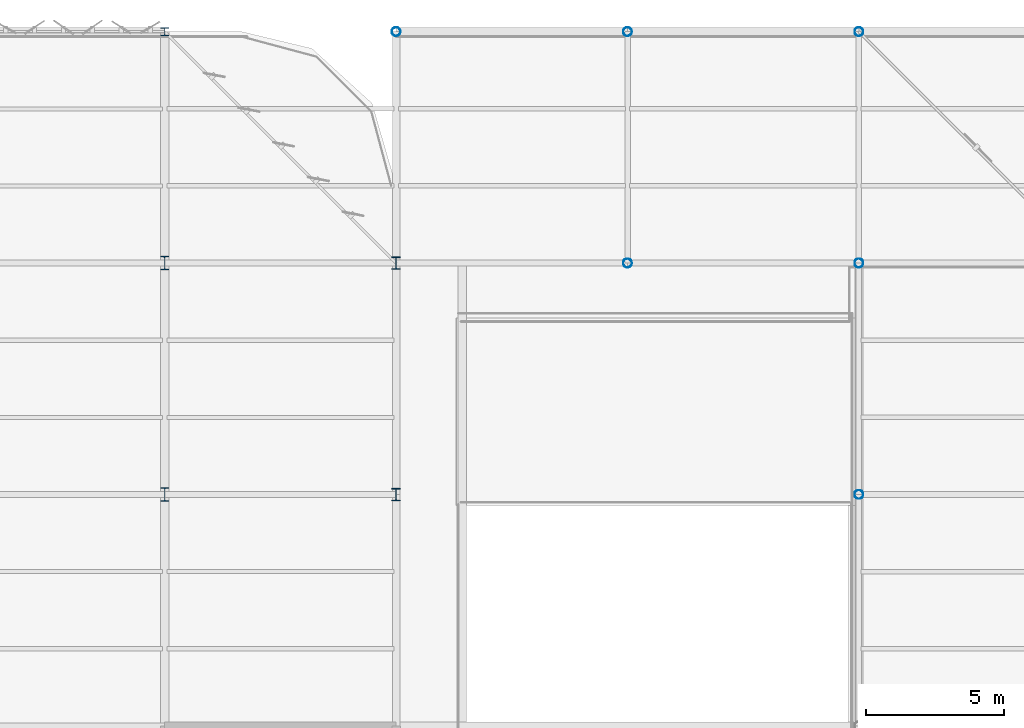
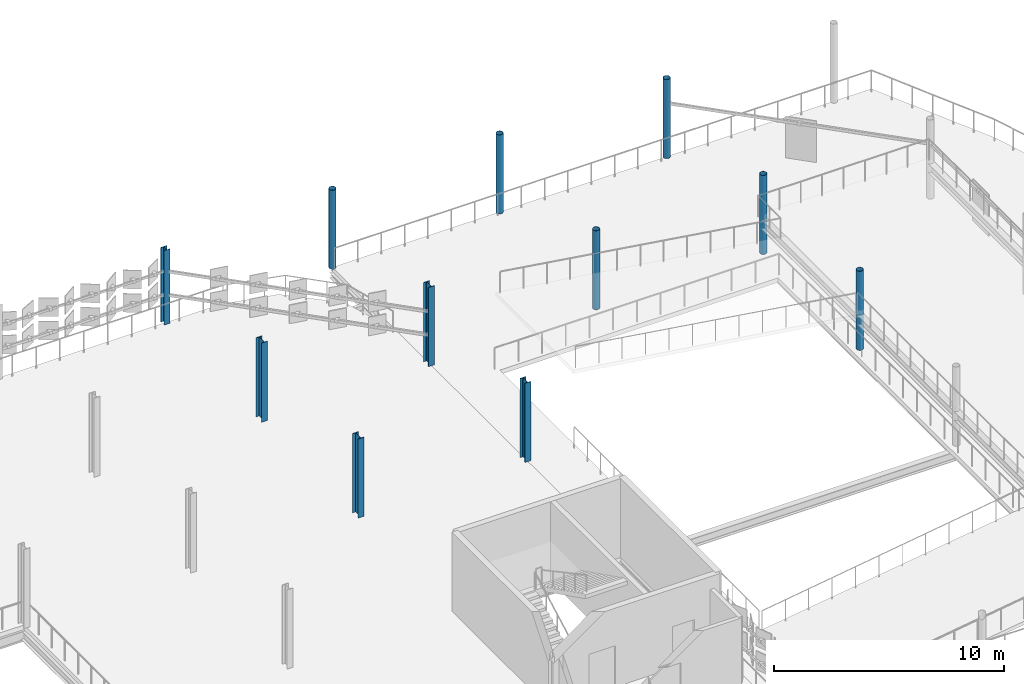
# One storey, part 13 of 69: 11 columns.
"""IFC4 building model written with IfcOpenShell, lengths in metres."""

import ifcopenshell
import ifcopenshell.guid

model = None  # the IFC model being written
_history = None  # IfcOwnerHistory: only IFC2X3 demands one
_inside = {}  # id of a spatial element -> (the spatial element, [elements in it])
_under = {}  # id of a project, library or spatial element -> (it, [spatial elements below it])
_declared = {}  # id of a project -> (the project, [libraries it declares])
_typed = {}  # id of a type object -> (the type object, [elements of that type])
_made_of = {}  # id of a material, layer set ... -> (it, [elements and type objects made of it])


def new_model(schema):
    """Start an empty IFC model of exactly this schema.

    Asked for "IFC4X3", IfcOpenShell would pick the latest addendum, in which some entities
    have other attributes; the version numbers below select the first issue.
    IFC2X3 requires an IfcOwnerHistory on every rooted entity: one is made here for all.
    """
    global model, _history
    if schema == "IFC4X3":
        model = ifcopenshell.file(schema_version=(4, 3, 0, 0))
    else:
        model = ifcopenshell.file(schema=schema)
    _inside.clear()
    _under.clear()
    _declared.clear()
    _typed.clear()
    _made_of.clear()
    _history = None
    if model.schema == "IFC2X3":
        org = make("IfcOrganization", Name="unknown")
        user = make(
            "IfcPersonAndOrganization",
            ThePerson=make("IfcPerson", FamilyName="unknown"),
            TheOrganization=org,
        )
        app = make(
            "IfcApplication",
            ApplicationDeveloper=org,
            Version="unknown",
            ApplicationFullName="unknown",
            ApplicationIdentifier="unknown",
        )
        _history = make(
            "IfcOwnerHistory",
            OwningUser=user,
            OwningApplication=app,
            ChangeAction="ADDED",
            CreationDate=0,
        )
    return model


def make(cls, **values):
    """One entity of the class cls with the attributes given. An attribute that is None is left unset."""
    return model.create_entity(
        cls, **{name: value for name, value in values.items() if value is not None}
    )


def rooted(cls, **values):
    """An entity with a GlobalId (a new one), such as an element, a storey or a relation."""
    return make(cls, GlobalId=ifcopenshell.guid.new(), OwnerHistory=_history, **values)


def si_unit(unit_type, name, prefix=None):
    """IfcSIUnit, for example si_unit("LENGTHUNIT", "METRE", prefix="MILLI")."""
    return make("IfcSIUnit", UnitType=unit_type, Prefix=prefix, Name=name)


def assignment(units):
    """IfcUnitAssignment: the units of a project."""
    return None if units is None else make("IfcUnitAssignment", Units=units)


def point(xyz):
    """IfcCartesianPoint."""
    return None if xyz is None else make("IfcCartesianPoint", Coordinates=xyz)


def direction(xyz):
    """IfcDirection."""
    return None if xyz is None else make("IfcDirection", DirectionRatios=xyz)


def frame(location, z_axis=None, x_axis=None):
    """IfcAxis2Placement3D, a coordinate frame: its origin and axes. An axis left out is left unset."""
    return make(
        "IfcAxis2Placement3D",
        Location=point(location),
        Axis=direction(z_axis),
        RefDirection=direction(x_axis),
    )


def frame_2d(location, x_axis=None):
    """IfcAxis2Placement2D, a coordinate frame in the plane: its origin and x axis."""
    return make(
        "IfcAxis2Placement2D", Location=point(location), RefDirection=direction(x_axis)
    )


def origin():
    """The frame at (0, 0, 0) with its axes left unset."""
    return frame((0.0, 0.0, 0.0))


def origin_2d():
    """The frame at (0, 0) in the plane with its x axis left unset."""
    return frame_2d((0.0, 0.0))


def place(relative_to, where):
    """IfcLocalPlacement: puts the frame where relative to a parent placement (None: the world)."""
    return make(
        "IfcLocalPlacement", PlacementRelTo=relative_to, RelativePlacement=where
    )


def context(
    kind, dimensions, precision=None, world=None, true_north=None, identifier=None
):
    """IfcGeometricRepresentationContext, for example the 3D "Model" context."""
    return make(
        "IfcGeometricRepresentationContext",
        ContextIdentifier=identifier,
        ContextType=kind,
        CoordinateSpaceDimension=dimensions,
        Precision=precision,
        WorldCoordinateSystem=world,
        TrueNorth=true_north,
    )


def subcontext(parent, identifier, kind, view, scale=None):
    """IfcGeometricRepresentationSubContext, for example "Body" below "Model"."""
    return make(
        "IfcGeometricRepresentationSubContext",
        ContextIdentifier=identifier,
        ContextType=kind,
        ParentContext=parent,
        TargetScale=scale,
        TargetView=view,
    )


def project(units=None, contexts=None):
    """IfcProject with its units and contexts."""
    return rooted(
        "IfcProject",
        Name="project",
        RepresentationContexts=contexts,
        UnitsInContext=assignment(units),
    )


def spatial(cls, under=None, at=None, **own):
    """A site, building, storey or space (cls), placed at a placement, below another one or the project."""
    s = rooted(cls, ObjectPlacement=at, **own)
    if under is not None:
        _under.setdefault(under.id(), (under, []))[1].append(s)
    return s


def profile(cls, at=None, kind="AREA", **sizes):
    """A parametric profile (cls). Its sizes go by their IFC names, for example OverallWidth=200.0."""
    return make(cls, ProfileType=kind, Position=at, **sizes)


def hollow_circle(**sizes):
    """IfcCircleHollowProfileDef."""
    return profile("IfcCircleHollowProfileDef", **sizes)


def i_section(**sizes):
    """IfcIShapeProfileDef."""
    return profile("IfcIShapeProfileDef", **sizes)


def extrude(swept, where, along, depth):
    """IfcExtrudedAreaSolid: the profile swept, set in the frame where, extruded along a direction by depth."""
    return make(
        "IfcExtrudedAreaSolid",
        SweptArea=swept,
        Position=where,
        ExtrudedDirection=direction(along),
        Depth=depth,
    )


def shape(context_of_items, identifier, shape_type, items):
    """IfcShapeRepresentation: the items that make up one representation, for example the "Body"."""
    return make(
        "IfcShapeRepresentation",
        ContextOfItems=context_of_items,
        RepresentationIdentifier=identifier,
        RepresentationType=shape_type,
        Items=items,
    )


def material(Name=None, Category=None):
    """IfcMaterial."""
    return make("IfcMaterial", Name=Name, Category=Category)


def material_profile(
    of_material, cross_section, Name=None, Category=None, Priority=None
):
    """IfcMaterialProfile: a cross section and its material."""
    return make(
        "IfcMaterialProfile",
        Name=Name,
        Material=of_material,
        Profile=cross_section,
        Priority=Priority,
        Category=Category,
    )


def profile_set(profiles, Name=None, composite=None):
    """IfcMaterialProfileSet."""
    return make(
        "IfcMaterialProfileSet",
        Name=Name,
        MaterialProfiles=profiles,
        CompositeProfile=composite,
    )


def made_of(thing, what):
    """Note that an element or type object is made of a material, layer set ...; save() writes the relation."""
    if what is not None:
        _made_of.setdefault(what.id(), (what, []))[1].append(thing)
    return thing


def type_object(cls, material=None, **own):
    """A type object (cls), such as IfcWallType, which elements share."""
    return made_of(rooted(cls, **own), material)


def element(
    cls,
    number,
    at=None,
    inside=None,
    cuts=None,
    type_object=None,
    material=None,
    context=None,
    identifier="Body",
    shape_type=None,
    held_by="IfcProductDefinitionShape",
    body=None,
    shapes=None,
    **own,
):
    """One element of the class cls, such as IfcWall. Its Tag is "e" and its number.

    at: its placement. inside: the storey or other place that contains it. cuts: it is an
    opening in that element (IfcRelVoidsElement). A single representation is given by context,
    identifier, shape_type and body (its items); several are given by shapes. held_by: the class
    of the entity that holds the representations. save() writes the other relations.
    """
    e = rooted(cls, Tag="e%d" % number, ObjectPlacement=at, **own)
    if body is not None:
        shapes = [shape(context, identifier, shape_type, body)]
    if shapes is not None:
        e.Representation = make(held_by, Representations=shapes)
    if inside is not None:
        _inside.setdefault(inside.id(), (inside, []))[1].append(e)
    if cuts is not None:
        rooted(
            "IfcRelVoidsElement", RelatingBuildingElement=cuts, RelatedOpeningElement=e
        )
    if type_object is not None:
        _typed.setdefault(type_object.id(), (type_object, []))[1].append(e)
    return made_of(e, material)


def aggregate(whole, parts):
    """IfcRelAggregates: a whole, such as a stair, and the parts it consists of."""
    return rooted("IfcRelAggregates", RelatingObject=whole, RelatedObjects=parts)


def save(model, path):
    """Write the relations noted so far, then the file.

    IfcRelAggregates (storeys below a building ...), IfcRelContainedInSpatialStructure (elements
    in a storey), IfcRelDefinesByType, IfcRelAssociatesMaterial and IfcRelDeclares: one each for
    every whole, place, type object, material and project.
    """
    for whole, parts in _under.values():
        aggregate(whole, parts)
    for where, things in _inside.values():
        rooted(
            "IfcRelContainedInSpatialStructure",
            RelatedElements=things,
            RelatingStructure=where,
        )
    for kind, things in _typed.values():
        rooted("IfcRelDefinesByType", RelatedObjects=things, RelatingType=kind)
    for what, things in _made_of.values():
        rooted("IfcRelAssociatesMaterial", RelatedObjects=things, RelatingMaterial=what)
    for by, libraries in _declared.values():
        rooted("IfcRelDeclares", RelatingContext=by, RelatedDefinitions=libraries)
    model.write(path)


model = new_model("IFC4")

# Units and contexts
model_context = context("Model", 3, precision=1e-05, world=origin(), true_north=direction((0.0, 1.0)))
body_context = subcontext(model_context, "Body", "Model", "MODEL_VIEW")
ifc_project = project(units=[si_unit("LENGTHUNIT", "METRE"), si_unit("AREAUNIT", "SQUARE_METRE"), si_unit("VOLUMEUNIT", "CUBIC_METRE"), si_unit("PLANEANGLEUNIT", "RADIAN"), si_unit("MASSUNIT", "GRAM", prefix="KILO")], contexts=[model_context])

# Site, building, storey
site_placement = place(None, origin())
site = spatial("IfcSite", under=ifc_project, at=site_placement, CompositionType="ELEMENT")
building_placement = place(site_placement, origin())
building = spatial("IfcBuilding", under=site, at=building_placement, Name="Qalvenar Corner Mobility Hub", CompositionType="ELEMENT")
storey_placement = place(building_placement, frame((0.0, 0.0, 13.199951171875)))
storey = spatial("IfcBuildingStorey", under=building, at=storey_placement, Name="L03", CompositionType="ELEMENT", Elevation=13.199951171875)

# Columns
ifc_material = material(Name="Steel S355", Category="steel")
ifc_material_profile_1 = material_profile(ifc_material, hollow_circle(Radius=0.161865234375, WallThickness=0.010009765625, at=origin_2d()), Name="CHS323.9x10")
ifc_profile_set_1 = profile_set([ifc_material_profile_1], Name="Steel S355")
column_type_1 = type_object("IfcColumnType", Name="COL-CHS323", PredefinedType="COLUMN", material=ifc_profile_set_1)
for number, where, z_axis, x_axis, name in (
    (1, (142.800048828125, 117.60009765625, 0.0), (0.0, 0.0, 1.0), (1.0, 0.0, 0.0), "Steel Column L03-G18-14"),
    (2, (151.199951171875, 109.199951171875, 0.0), (0.0, 0.0, 1.0), (1.0, 0.0, 0.0), "Steel Column L03-G19-13"),
    (3, (151.199951171875, 117.60009765625, 0.0), (0.0, 0.0, 1.0), (1.0, 0.0, 0.0), "Steel Column L03-G19-14"),
    (4, (159.60009765625, 100.800048828125, 0.0), (0.0, 0.0, 1.0), (1.0, 0.0, 0.0), "Steel Column L03-G20-12"),
    (5, (159.60009765625, 109.199951171875, 0.0), (0.0, 0.0, 1.0), (1.0, 0.0, 0.0), "Steel Column L03-G20-13"),
    (6, (159.60009765625, 117.60009765625, 0.0), (0.0, 0.0, 1.0), (1.0, 0.0, 0.0), "Steel Column L03-G20-14"),
):
    element("IfcColumn", number, at=place(storey_placement, frame(where, z_axis=z_axis, x_axis=x_axis)), inside=storey, type_object=column_type_1, Name=name, PredefinedType="COLUMN", context=body_context, shape_type="SweptSolid", body=[
        extrude(hollow_circle(Radius=0.161865234375, WallThickness=0.010009765625, at=origin_2d()), origin(), (0.0, 0.0, 1.0), 4.199951171875),
    ])
ifc_material_profile_2 = material_profile(ifc_material, i_section(OverallWidth=0.300048828125, OverallDepth=0.300048828125, WebThickness=0.010986328125, FlangeThickness=0.01904296875, FilletRadius=0.027099609375, at=origin_2d()), Name="HEB300")
ifc_profile_set_2 = profile_set([ifc_material_profile_2], Name="Steel S355")
column_type_2 = type_object("IfcColumnType", Name="COL-HEB300", PredefinedType="COLUMN", material=ifc_profile_set_2)
column_placement = place(storey_placement, frame((134.39990234375, 117.60009765625, 0.0), z_axis=(0.0, 0.0, 1.0), x_axis=(1.0, 0.0, 0.0)))
element("IfcColumn", 7, at=column_placement, inside=storey, type_object=column_type_2, Name="Steel Column L03-G17-14", PredefinedType="COLUMN", context=body_context, shape_type="SweptSolid", body=[
    extrude(i_section(OverallWidth=0.300048828125, OverallDepth=0.300048828125, WebThickness=0.010986328125, FlangeThickness=0.01904296875, FilletRadius=0.027099609375, at=origin_2d()), origin(), (0.0, 0.0, 1.0), 3.9580078125),
])
ifc_material_profile_3 = material_profile(ifc_material, i_section(OverallWidth=0.300048828125, OverallDepth=0.449951171875, WebThickness=0.013916015625, FlangeThickness=0.02587890625, FilletRadius=0.027099609375, at=origin_2d()), Name="HEB450")
ifc_profile_set_3 = profile_set([ifc_material_profile_3], Name="Steel S355")
column_type_3 = type_object("IfcColumnType", Name="COL-HEB450", PredefinedType="COLUMN", material=ifc_profile_set_3)
for number, where, z_axis, x_axis, name in (
    (8, (142.800048828125, 100.800048828125, 0.0), (0.0, 0.0, 1.0), (1.0, 0.0, 0.0), "Steel Column L03-G18-12"),
    (9, (142.800048828125, 109.199951171875, 0.0), (0.0, 0.0, 1.0), (1.0, 0.0, 0.0), "Steel Column L03-G18-13"),
):
    element("IfcColumn", number, at=place(storey_placement, frame(where, z_axis=z_axis, x_axis=x_axis)), inside=storey, type_object=column_type_3, Name=name, PredefinedType="COLUMN", context=body_context, shape_type="SweptSolid", body=[
        extrude(i_section(OverallWidth=0.300048828125, OverallDepth=0.449951171875, WebThickness=0.013916015625, FlangeThickness=0.02587890625, FilletRadius=0.027099609375, at=origin_2d()), origin(), (0.0, 0.0, 1.0), 4.199951171875),
    ])
ifc_material_profile_4 = material_profile(ifc_material, i_section(OverallWidth=0.300048828125, OverallDepth=0.5, WebThickness=0.014404296875, FlangeThickness=0.028076171875, FilletRadius=0.027099609375, at=origin_2d()), Name="HEB500")
ifc_profile_set_4 = profile_set([ifc_material_profile_4], Name="Steel S355")
column_type_4 = type_object("IfcColumnType", Name="COL-HEB500", PredefinedType="COLUMN", material=ifc_profile_set_4)
for number, where, z_axis, x_axis, name in (
    (10, (134.39990234375, 100.800048828125, 0.0), (0.0, 0.0, 1.0), (1.0, 0.0, 0.0), "Steel Column L03-G17-12"),
    (11, (134.39990234375, 109.199951171875, 0.0), (0.0, 0.0, 1.0), (1.0, 0.0, 0.0), "Steel Column L03-G17-13"),
):
    element("IfcColumn", number, at=place(storey_placement, frame(where, z_axis=z_axis, x_axis=x_axis)), inside=storey, type_object=column_type_4, Name=name, PredefinedType="COLUMN", context=body_context, shape_type="SweptSolid", body=[
        extrude(i_section(OverallWidth=0.300048828125, OverallDepth=0.5, WebThickness=0.014404296875, FlangeThickness=0.028076171875, FilletRadius=0.027099609375, at=origin_2d()), origin(), (0.0, 0.0, 1.0), 4.199951171875),
    ])

save(model, "model.ifc")
